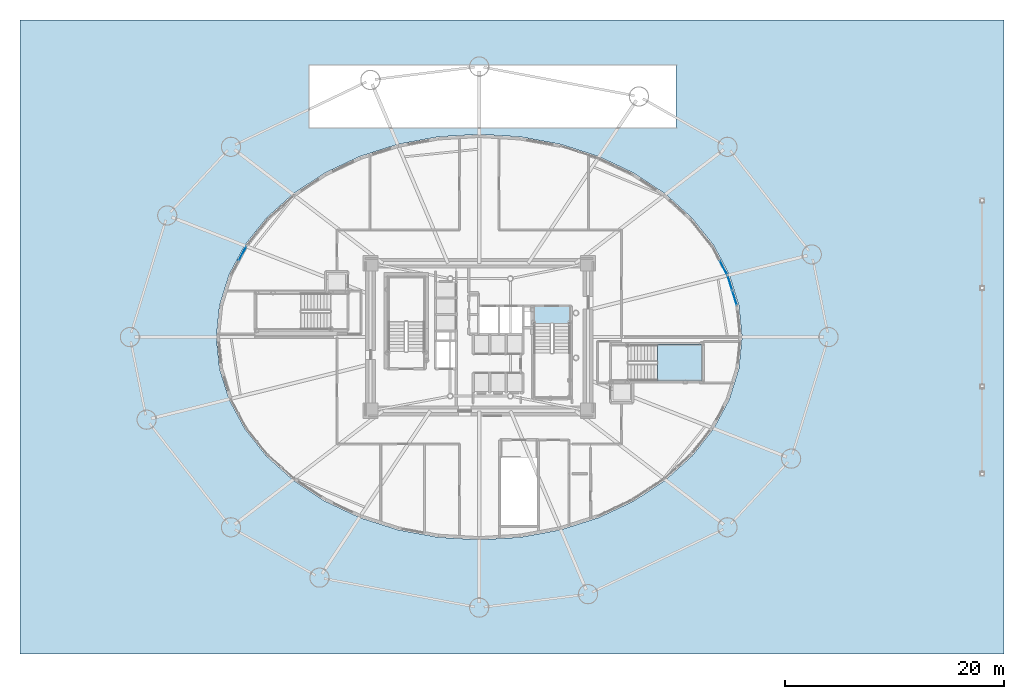
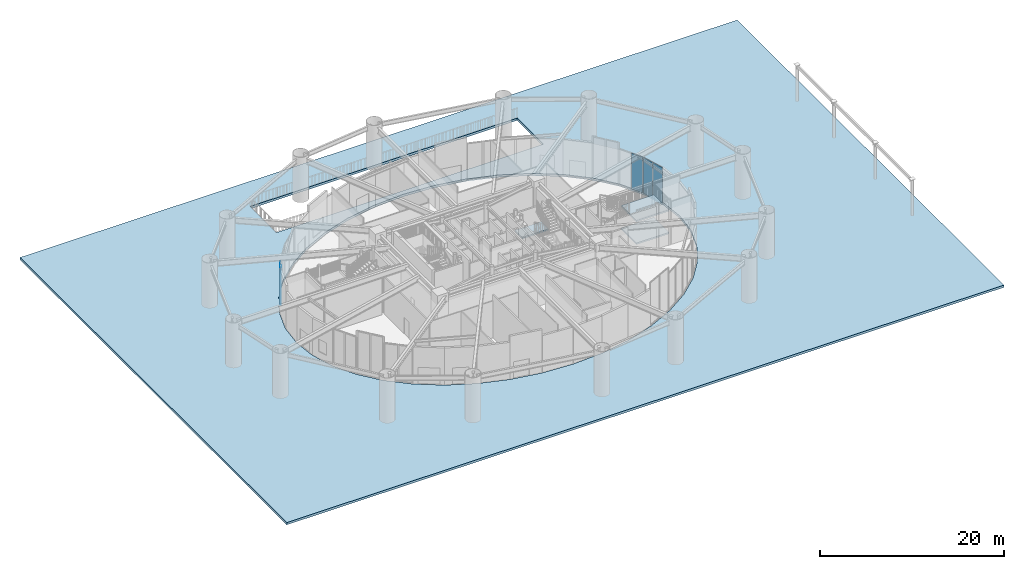
# One storey, part 26 of 46: 4 plates, 4 slabs, 5 elements without a shape of their own.
"""IFC4 building model written with IfcOpenShell, lengths in metres."""

from ifc_helpers import new_model, si_unit, direction, frame, origin, origin_2d, place, context, subcontext, project, spatial, polyline, rectangle, outline, extrude, source, transform, mapped, material, layer, layer_set, type_object, element, aggregate, save


model = new_model("IFC4")

# Units and contexts
model_context = context("Model", 3, precision=1e-05, world=origin(), true_north=direction((0.0, 1.0)))
body_context = subcontext(model_context, "Body", "Model", "MODEL_VIEW")
ifc_project = project(units=[si_unit("LENGTHUNIT", "METRE"), si_unit("AREAUNIT", "SQUARE_METRE"), si_unit("VOLUMEUNIT", "CUBIC_METRE"), si_unit("PLANEANGLEUNIT", "RADIAN"), si_unit("MASSUNIT", "GRAM", prefix="KILO")], contexts=[model_context])

# Site, building, storey
site_placement = place(None, origin())
site = spatial("IfcSite", under=ifc_project, at=site_placement, CompositionType="ELEMENT")
building_placement = place(site_placement, origin())
building = spatial("IfcBuilding", under=site, at=building_placement, Name="Linh Dai School and Residence Tower", CompositionType="ELEMENT")
storey_placement = place(building_placement, origin())
storey = spatial("IfcBuildingStorey", under=building, at=storey_placement, Name="L00", CompositionType="ELEMENT", Elevation=0.0)

# Slab
ifc_material_1 = material(Name="Concrete B45 (C35/45)", Category="concrete")
ifc_layer_1 = layer(ifc_material_1, 0.25)
ifc_layer_set_1 = layer_set([ifc_layer_1], Name="Concrete B45 (C35/45)")
slab_type_1 = type_object("IfcSlabType", Name="SLB-PAV250", PredefinedType="USERDEFINED", material=ifc_layer_set_1)
slab_1_placement = place(storey_placement, frame((0.0, 0.0, -0.300048828125)))
element("IfcSlab", 1, at=slab_1_placement, inside=storey, type_object=slab_type_1, Name="L00 Open Stilts Civic Plaza Paving Slab", ObjectType="PAVING", PredefinedType="USERDEFINED", context=body_context, shape_type="SweptSolid", body=[
    extrude(outline(polyline([(-6.0, -2.0), (84.0, -2.0), (84.0, 56.0), (-6.0, 56.0), (-6.0, -2.0)]), holes=[polyline([(60.0400390625, 27.0), (59.744140625, 29.900390625), (58.86328125, 32.729248046875), (57.419677734375, 35.4169921875), (55.44873046875, 37.8974609375), (52.998779296875, 40.10986328125), (50.13037109375, 41.999267578125), (46.913818359375, 43.519287109375), (43.4287109375, 44.632568359375), (39.7607421875, 45.311767578125), (36.0, 45.5400390625), (32.2392578125, 45.311767578125), (28.5712890625, 44.632568359375), (25.086181640625, 43.519287109375), (21.86962890625, 41.999267578125), (19.001220703125, 40.10986328125), (16.55126953125, 37.8974609375), (14.580322265625, 35.4169921875), (13.13671875, 32.729248046875), (12.255859375, 29.900390625), (11.9599609375, 27.0), (12.255859375, 24.099609375), (13.13671875, 21.270751953125), (14.580322265625, 18.5830078125), (16.55126953125, 16.1025390625), (19.001220703125, 13.89013671875), (21.86962890625, 12.000732421875), (25.086181640625, 10.480712890625), (28.5712890625, 9.367431640625), (32.2392578125, 8.688232421875), (36.0, 8.4599609375), (39.7607421875, 8.688232421875), (43.4287109375, 9.367431640625), (46.913818359375, 10.480712890625), (50.13037109375, 12.000732421875), (52.998779296875, 13.89013671875), (55.44873046875, 16.1025390625), (57.419677734375, 18.5830078125), (58.86328125, 21.270751953125), (59.744140625, 24.099609375), (60.0400390625, 27.0)]), polyline([(20.5, 46.14990234375), (54.0, 46.14990234375), (54.0, 51.85009765625), (20.5, 51.85009765625), (20.5, 46.14990234375)])]), origin(), (0.0, 0.0, 1.0), 0.300048828125),
])

# Stair, slab
stair_type = type_object("IfcStairType", Name="ST-DOG-1550-R1500", PredefinedType="HALF_TURN_STAIR", material=ifc_material_1)
stair_1_placement = place(storey_placement, origin())
stair_1 = element("IfcStair", 2, at=stair_1_placement, inside=storey, type_object=stair_type, Name="L00 Core Smokeproof Exit Stair ST2", PredefinedType="HALF_TURN_STAIR")
ifc_layer_2 = layer(ifc_material_1, 0.199951171875)
ifc_layer_set_2 = layer_set([ifc_layer_2], Name="Concrete B45 (C35/45)")
slab_type_2 = type_object("IfcSlabType", Name="SLB-ST-LANDING-200", PredefinedType="LANDING", material=ifc_layer_set_2)
slab_2_placement = place(storey_placement, frame((0.0, 0.0, 2.800048828125)))
slab_2 = element("IfcSlab", 3, at=slab_2_placement, type_object=slab_type_2, Name="ST2 landing 2", PredefinedType="LANDING", context=body_context, shape_type="SweptSolid", body=[
    extrude(outline(polyline([(41.02001953125, 29.85009765625), (41.02001953125, 28.25), (44.320068359375, 28.25), (44.320068359375, 29.85009765625), (41.02001953125, 29.85009765625)])), origin(), (0.0, 0.0, 1.0), 0.199951171875),
])
aggregate(stair_1, [slab_2])

# Stair, slabs
stair_2_placement = place(storey_placement, origin())
stair_2 = element("IfcStair", 4, at=stair_2_placement, inside=storey, type_object=stair_type, Name="L00 School Exit Stair STS2", PredefinedType="HALF_TURN_STAIR")
slab_3_placement = place(storey_placement, frame((0.0, 0.0, 1.300048828125)))
slab_3 = element("IfcSlab", 5, at=slab_3_placement, type_object=slab_type_2, Name="STS2 landing 1", PredefinedType="LANDING", context=body_context, shape_type="SweptSolid", body=[
    extrude(outline(polyline([(52.300048828125, 23.0), (56.39990234375, 23.0), (56.39990234375, 26.300048828125), (52.300048828125, 26.300048828125), (52.300048828125, 23.0)])), origin(), (0.0, 0.0, 1.0), 0.199951171875),
])
slab_4_placement = place(storey_placement, frame((0.0, 0.0, 4.300048828125)))
slab_4 = element("IfcSlab", 6, at=slab_4_placement, type_object=slab_type_2, Name="STS2 landing 3", PredefinedType="LANDING", context=body_context, shape_type="SweptSolid", body=[
    extrude(outline(polyline([(52.300048828125, 23.0), (56.39990234375, 23.0), (56.39990234375, 26.300048828125), (52.300048828125, 26.300048828125), (52.300048828125, 23.0)])), origin(), (0.0, 0.0, 1.0), 0.199951171875),
])
aggregate(stair_2, [slab_3, slab_4])

# Curtain wall, plates
ifc_material_2 = material(Name="Aluminium Anodised Curtain Wall", Category="aluminium")
ifc_layer_3 = layer(ifc_material_2, 0.179931640625)
ifc_layer_set_3 = layer_set([ifc_layer_3], Name="Aluminium Anodised Curtain Wall")
curtain_wall_type = type_object("IfcCurtainWallType", Name="CW-SYS-1", PredefinedType="USERDEFINED", material=ifc_layer_set_3)
curtain_wall_1_placement = place(storey_placement, origin())
curtain_wall_1 = element("IfcCurtainWall", 7, at=curtain_wall_1_placement, inside=storey, type_object=curtain_wall_type, Name="L00 CW1 Curtain Wall 02", ObjectType="UNITISED CURTAIN WALL", PredefinedType="USERDEFINED")
ifc_material_3 = material(Name="Double Low-E Insulated Glazing", Category="glass")
ifc_layer_4 = layer(ifc_material_3, 0.031982421875)
ifc_layer_set_4 = layer_set([ifc_layer_4], Name="Double Low-E Insulated Glazing")
plate_type = type_object("IfcPlateType", Name="CW-SYS-1-PAN", PredefinedType="CURTAIN_PANEL", material=ifc_layer_set_4)
shared_shape_1 = source(origin(), body_context, "Body", "SweptSolid", [
    extrude(rectangle(XDim=1.368408203125, YDim=0.031982421875, at=origin_2d()), origin(), (0.0, 0.0, 1.0), 4.7548828125),
])
plate_1_placement = place(storey_placement, frame((58.932861328125, 31.952880859375, 0.06494140625), z_axis=(0.0, 0.0, 1.0), x_axis=(0.297374943665, -0.954760777829, 0.0)))
plate_1 = element("IfcPlate", 8, at=plate_1_placement, type_object=plate_type, Name="CW1 panel 1.1", PredefinedType="CURTAIN_PANEL", context=body_context, shape_type="MappedRepresentation", body=[
    mapped(shared_shape_1, transform((0.0, 0.0, 0.0), x_axis=(1.0, 0.0, 0.0), y_axis=(0.0, 1.0, 0.0), z_axis=(0.0, 0.0, 1.0), scale=1.0)),
])
plate_2_placement = place(storey_placement, frame((59.359375, 30.584228515625, 0.06494140625), z_axis=(0.0, 0.0, 1.0), x_axis=(0.297374943665, -0.954760777829, 0.0)))
plate_2 = element("IfcPlate", 9, at=plate_2_placement, type_object=plate_type, Name="CW1 panel 2.1", PredefinedType="CURTAIN_PANEL", context=body_context, shape_type="MappedRepresentation", body=[
    mapped(shared_shape_1, transform((0.0, 0.0, 0.0), x_axis=(1.0, 0.0, 0.0), y_axis=(0.0, 1.0, 0.0), z_axis=(0.0, 0.0, 1.0), scale=1.0)),
])
aggregate(curtain_wall_1, [plate_1, plate_2])

# Curtain wall, plate
curtain_wall_2_placement = place(storey_placement, origin())
curtain_wall_2 = element("IfcCurtainWall", 10, at=curtain_wall_2_placement, inside=storey, type_object=curtain_wall_type, Name="L00 CW1 Curtain Wall 03", ObjectType="UNITISED CURTAIN WALL", PredefinedType="USERDEFINED")
shared_shape_2 = source(origin(), body_context, "Body", "SweptSolid", [
    extrude(rectangle(XDim=1.413330078125, YDim=0.031982421875, at=origin_2d()), origin(), (0.0, 0.0, 1.0), 4.7548828125),
])
plate_3_placement = place(storey_placement, frame((58.344970703125, 33.347900390625, 0.06494140625), z_axis=(0.0, 0.0, 1.0), x_axis=(0.473355424568, -0.880871524135, 0.0)))
plate_3 = element("IfcPlate", 11, at=plate_3_placement, type_object=plate_type, Name="CW1 panel 2.1", PredefinedType="CURTAIN_PANEL", context=body_context, shape_type="MappedRepresentation", body=[
    mapped(shared_shape_2, transform((0.0, 0.0, 0.0), x_axis=(1.0, 0.0, 0.0), y_axis=(0.0, 1.0, 0.0), z_axis=(0.0, 0.0, 1.0), scale=1.0)),
])
aggregate(curtain_wall_2, [plate_3])

curtain_wall_3_placement = place(storey_placement, origin())
curtain_wall_3 = element("IfcCurtainWall", 12, at=curtain_wall_3_placement, inside=storey, type_object=curtain_wall_type, Name="L00 CW1 Curtain Wall 18", ObjectType="UNITISED CURTAIN WALL", PredefinedType="USERDEFINED")
plate_4_placement = place(storey_placement, frame((14.354736328125, 34.650146484375, 0.06494140625), z_axis=(0.0, 0.0, 1.0), x_axis=(0.473355424568, 0.880871524135, 0.0)))
plate_4 = element("IfcPlate", 13, at=plate_4_placement, type_object=plate_type, Name="CW1 panel 2.1", PredefinedType="CURTAIN_PANEL", context=body_context, shape_type="MappedRepresentation", body=[
    mapped(shared_shape_2, transform((0.0, 0.0, 0.0), x_axis=(1.0, 0.0, 0.0), y_axis=(0.0, 1.0, 0.0), z_axis=(0.0, 0.0, 1.0), scale=1.0)),
])
aggregate(curtain_wall_3, [plate_4])

save(model, "model.ifc")
